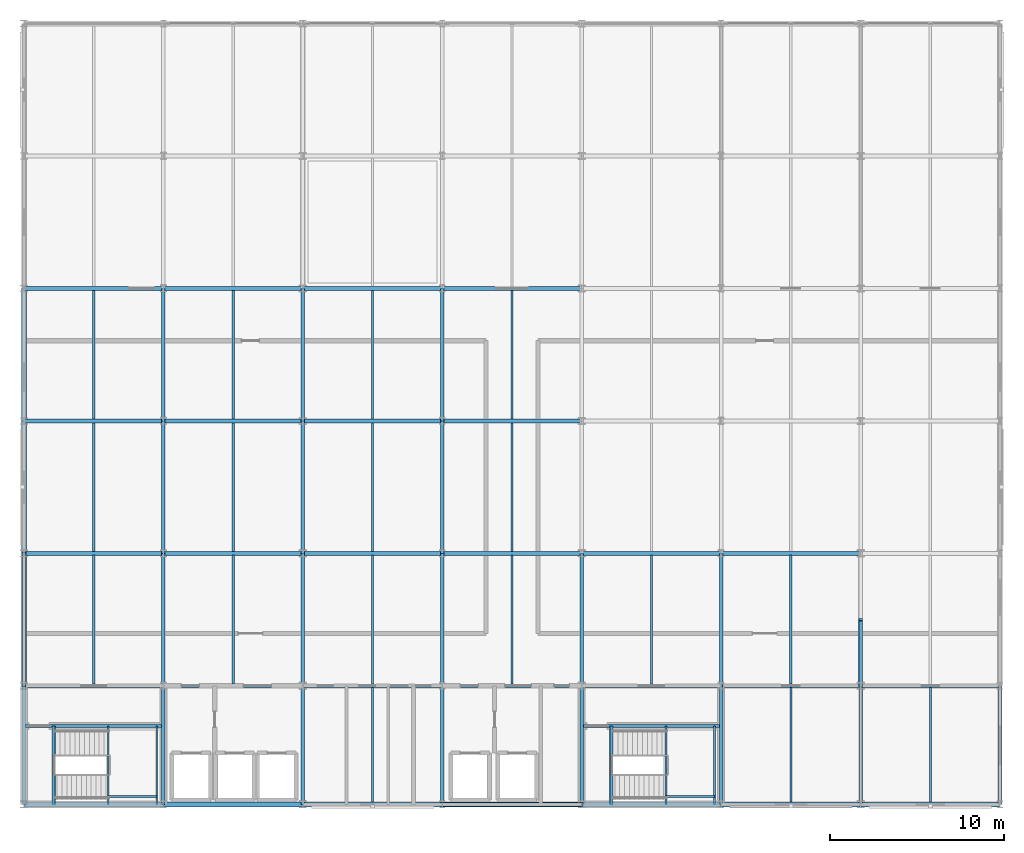
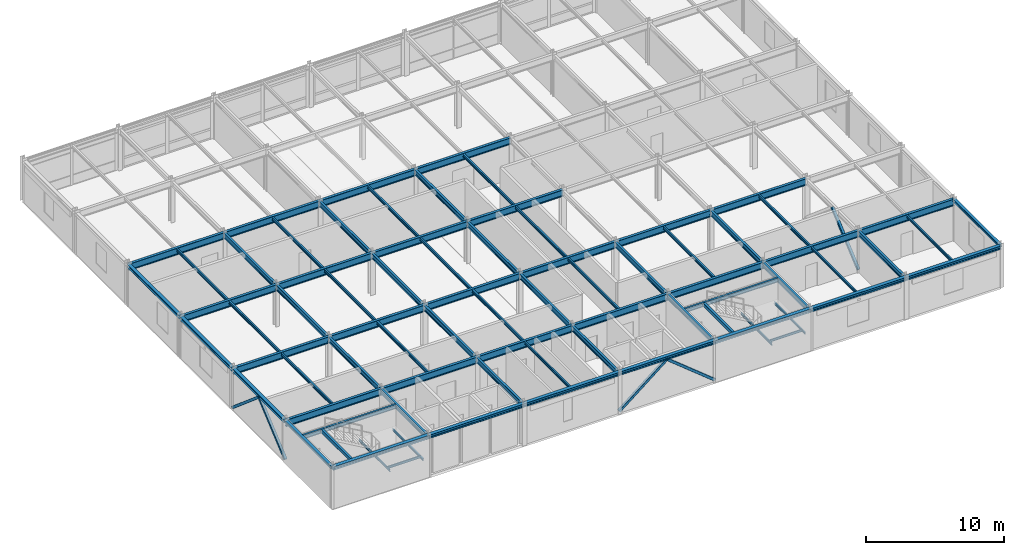
# One storey, part 4 of 14: 77 beams, 5 members.
"""IFC4 building model written with IfcOpenShell, lengths in metres."""

from ifc_helpers import new_model, si_unit, direction, frame, origin, origin_2d, place, context, subcontext, project, spatial, hollow_rectangle, i_section, extrude, material, material_profile, profile_set, type_object, element, save


model = new_model("IFC4")

# Units and contexts
model_context = context("Model", 3, precision=1e-05, world=origin(), true_north=direction((0.0, 1.0)))
body_context = subcontext(model_context, "Body", "Model", "MODEL_VIEW")
ifc_project = project(units=[si_unit("LENGTHUNIT", "METRE"), si_unit("AREAUNIT", "SQUARE_METRE"), si_unit("VOLUMEUNIT", "CUBIC_METRE"), si_unit("PLANEANGLEUNIT", "RADIAN"), si_unit("MASSUNIT", "GRAM", prefix="KILO")], contexts=[model_context])

# Site, building, storey
site_placement = place(None, origin())
site = spatial("IfcSite", under=ifc_project, at=site_placement, CompositionType="ELEMENT")
building_placement = place(site_placement, origin())
building = spatial("IfcBuilding", under=site, at=building_placement, Name="Shalkamar Park Central Library", CompositionType="ELEMENT")
storey_placement = place(building_placement, frame((0.0, 0.0, 32.10009765625)))
storey = spatial("IfcBuildingStorey", under=building, at=storey_placement, Name="L08", CompositionType="ELEMENT", Elevation=32.10009765625)

# Beams
ifc_material = material(Name="Steel S355", Category="steel")
ifc_material_profile_1 = material_profile(ifc_material, i_section(OverallWidth=0.10009765625, OverallDepth=0.199951171875, WebThickness=0.005615234375, FlangeThickness=0.008544921875, FilletRadius=0.011962890625, at=origin_2d()), Name="IPE 200")
ifc_profile_set_1 = profile_set([ifc_material_profile_1], Name="Steel S355")
beam_type_1 = type_object("IfcBeamType", Name="Composite Floor Joist IPE200", PredefinedType="JOIST", material=ifc_profile_set_1)
for number, where, z_axis, x_axis, name in (
    (1, (169.840087890625, 248.39990234375, 1.56982421875), (0.0, 1.0, 0.0), (-1.0, 0.0, 0.0), "Stair Half-Landing Beam ST-T1-L08-1"),
    (2, (172.6201171875, 248.39990234375, 1.56982421875), (0.0, 1.0, 0.0), (-1.0, 0.0, 0.0), "Stair Half-Landing Beam ST-T1-L08-2"),
):
    element("IfcBeam", number, at=place(storey_placement, frame(where, z_axis=z_axis, x_axis=x_axis)), inside=storey, type_object=beam_type_1, Name=name, PredefinedType="JOIST", context=body_context, shape_type="SweptSolid", body=[
        extrude(i_section(OverallWidth=0.10009765625, OverallDepth=0.199951171875, WebThickness=0.005615234375, FlangeThickness=0.008544921875, FilletRadius=0.011962890625, at=origin_2d()), origin(), (0.0, 0.0, 1.0), 4.5),
    ])
beam_1_placement = place(storey_placement, frame((169.840087890625, 248.85009765625, 1.56982421875), z_axis=(1.0, 0.0, 0.0), x_axis=(0.0, 1.0, 0.0)))
element("IfcBeam", 3, at=beam_1_placement, inside=storey, type_object=beam_type_1, Name="Stair Half-Landing Cross Tie ST-T1-L08-3", PredefinedType="JOIST", context=body_context, shape_type="SweptSolid", body=[
    extrude(i_section(OverallWidth=0.10009765625, OverallDepth=0.199951171875, WebThickness=0.005615234375, FlangeThickness=0.008544921875, FilletRadius=0.011962890625, at=origin_2d()), origin(), (0.0, 0.0, 1.0), 2.780029296875),
])
for number, where, z_axis, x_axis, name in (
    (4, (201.840087890625, 248.39990234375, 1.56982421875), (0.0, 1.0, 0.0), (-1.0, 0.0, 0.0), "Stair Half-Landing Beam ST-T2-L08-1"),
    (5, (204.6201171875, 248.39990234375, 1.56982421875), (0.0, 1.0, 0.0), (-1.0, 0.0, 0.0), "Stair Half-Landing Beam ST-T2-L08-2"),
):
    element("IfcBeam", number, at=place(storey_placement, frame(where, z_axis=z_axis, x_axis=x_axis)), inside=storey, type_object=beam_type_1, Name=name, PredefinedType="JOIST", context=body_context, shape_type="SweptSolid", body=[
        extrude(i_section(OverallWidth=0.10009765625, OverallDepth=0.199951171875, WebThickness=0.005615234375, FlangeThickness=0.008544921875, FilletRadius=0.011962890625, at=origin_2d()), origin(), (0.0, 0.0, 1.0), 4.5),
    ])
beam_2_placement = place(storey_placement, frame((201.840087890625, 248.85009765625, 1.56982421875), z_axis=(1.0, 0.0, 0.0), x_axis=(0.0, 1.0, 0.0)))
element("IfcBeam", 6, at=beam_2_placement, inside=storey, type_object=beam_type_1, Name="Stair Half-Landing Cross Tie ST-T2-L08-3", PredefinedType="JOIST", context=body_context, shape_type="SweptSolid", body=[
    extrude(i_section(OverallWidth=0.10009765625, OverallDepth=0.199951171875, WebThickness=0.005615234375, FlangeThickness=0.008544921875, FilletRadius=0.011962890625, at=origin_2d()), origin(), (0.0, 0.0, 1.0), 2.780029296875),
])
ifc_material_profile_2 = material_profile(ifc_material, i_section(OverallWidth=0.1201171875, OverallDepth=0.239990234375, WebThickness=0.006103515625, FlangeThickness=0.009765625, FilletRadius=0.014892578125, at=origin_2d()), Name="IPE 240")
ifc_profile_set_2 = profile_set([ifc_material_profile_2], Name="Steel S355")
beam_type_2 = type_object("IfcBeamType", Name="Composite Floor Joist IPE240", PredefinedType="JOIST", material=ifc_profile_set_2)
for number, where, z_axis, x_axis, name in (
    (7, (185.0, 248.548095703125, 3.559814453125), (0.0, 1.0, 0.0), (-1.0, 0.0, 0.0), "Composite Joist 09/B-1 (L08)"),
    (8, (209.0, 248.548095703125, 3.559814453125), (0.0, 1.0, 0.0), (-1.0, 0.0, 0.0), "Composite Joist 12/B-1 (L08)"),
    (9, (217.0, 248.548095703125, 3.559814453125), (0.0, 1.0, 0.0), (-1.0, 0.0, 0.0), "Composite Joist 13/B-1 (L08)"),
):
    element("IfcBeam", number, at=place(storey_placement, frame(where, z_axis=z_axis, x_axis=x_axis)), inside=storey, type_object=beam_type_2, Name=name, PredefinedType="JOIST", context=body_context, shape_type="SweptSolid", body=[
        extrude(i_section(OverallWidth=0.1201171875, OverallDepth=0.239990234375, WebThickness=0.006103515625, FlangeThickness=0.009765625, FilletRadius=0.014892578125, at=origin_2d()), origin(), (0.0, 0.0, 1.0), 6.5439453125),
    ])
ifc_material_profile_3 = material_profile(ifc_material, i_section(OverallWidth=0.135009765625, OverallDepth=0.27001953125, WebThickness=0.006591796875, FlangeThickness=0.01025390625, FilletRadius=0.014892578125, at=origin_2d()), Name="IPE 270")
ifc_profile_set_3 = profile_set([ifc_material_profile_3], Name="Steel S355")
beam_type_3 = type_object("IfcBeamType", Name="Composite Floor Joist IPE270", PredefinedType="JOIST", material=ifc_profile_set_3)
beam_3_placement = place(storey_placement, frame((169.0, 255.30810546875, 3.544921875), z_axis=(0.0, 1.0, 0.0), x_axis=(-1.0, 0.0, 0.0)))
element("IfcBeam", 10, at=beam_3_placement, inside=storey, type_object=beam_type_3, Name="Composite Joist 07/C-1 (L08)", PredefinedType="JOIST", context=body_context, shape_type="SweptSolid", body=[
    extrude(i_section(OverallWidth=0.135009765625, OverallDepth=0.27001953125, WebThickness=0.006591796875, FlangeThickness=0.01025390625, FilletRadius=0.014892578125, at=origin_2d()), origin(), (0.0, 0.0, 1.0), 7.3837890625),
])
for number, where, z_axis, x_axis, name in (
    (11, (169.0, 262.907958984375, 3.544921875), (0.0, 1.0, 0.0), (-1.0, 0.0, 0.0), "Composite Joist 07/D-1 (L08)"),
    (12, (169.0, 270.508056640625, 3.544921875), (0.0, 1.0, 0.0), (-1.0, 0.0, 0.0), "Composite Joist 07/E-1 (L08)"),
):
    element("IfcBeam", number, at=place(storey_placement, frame(where, z_axis=z_axis, x_axis=x_axis)), inside=storey, type_object=beam_type_3, Name=name, PredefinedType="JOIST", context=body_context, shape_type="SweptSolid", body=[
        extrude(i_section(OverallWidth=0.135009765625, OverallDepth=0.27001953125, WebThickness=0.006591796875, FlangeThickness=0.01025390625, FilletRadius=0.014892578125, at=origin_2d()), origin(), (0.0, 0.0, 1.0), 7.384033203125),
    ])
beam_4_placement = place(storey_placement, frame((177.0, 255.30810546875, 3.544921875), z_axis=(0.0, 1.0, 0.0), x_axis=(-1.0, 0.0, 0.0)))
element("IfcBeam", 13, at=beam_4_placement, inside=storey, type_object=beam_type_3, Name="Composite Joist 08/C-1 (L08)", PredefinedType="JOIST", context=body_context, shape_type="SweptSolid", body=[
    extrude(i_section(OverallWidth=0.135009765625, OverallDepth=0.27001953125, WebThickness=0.006591796875, FlangeThickness=0.01025390625, FilletRadius=0.014892578125, at=origin_2d()), origin(), (0.0, 0.0, 1.0), 7.3837890625),
])
for number, where, z_axis, x_axis, name in (
    (14, (177.0, 262.907958984375, 3.544921875), (0.0, 1.0, 0.0), (-1.0, 0.0, 0.0), "Composite Joist 08/D-1 (L08)"),
    (15, (177.0, 270.508056640625, 3.544921875), (0.0, 1.0, 0.0), (-1.0, 0.0, 0.0), "Composite Joist 08/E-1 (L08)"),
):
    element("IfcBeam", number, at=place(storey_placement, frame(where, z_axis=z_axis, x_axis=x_axis)), inside=storey, type_object=beam_type_3, Name=name, PredefinedType="JOIST", context=body_context, shape_type="SweptSolid", body=[
        extrude(i_section(OverallWidth=0.135009765625, OverallDepth=0.27001953125, WebThickness=0.006591796875, FlangeThickness=0.01025390625, FilletRadius=0.014892578125, at=origin_2d()), origin(), (0.0, 0.0, 1.0), 7.384033203125),
    ])
beam_5_placement = place(storey_placement, frame((185.0, 255.30810546875, 3.544921875), z_axis=(0.0, 1.0, 0.0), x_axis=(-1.0, 0.0, 0.0)))
element("IfcBeam", 16, at=beam_5_placement, inside=storey, type_object=beam_type_3, Name="Composite Joist 09/C-1 (L08)", PredefinedType="JOIST", context=body_context, shape_type="SweptSolid", body=[
    extrude(i_section(OverallWidth=0.135009765625, OverallDepth=0.27001953125, WebThickness=0.006591796875, FlangeThickness=0.01025390625, FilletRadius=0.014892578125, at=origin_2d()), origin(), (0.0, 0.0, 1.0), 7.3837890625),
])
for number, where, z_axis, x_axis, name in (
    (17, (185.0, 262.907958984375, 3.544921875), (0.0, 1.0, 0.0), (-1.0, 0.0, 0.0), "Composite Joist 09/D-1 (L08)"),
    (18, (185.0, 270.508056640625, 3.544921875), (0.0, 1.0, 0.0), (-1.0, 0.0, 0.0), "Composite Joist 09/E-1 (L08)"),
):
    element("IfcBeam", number, at=place(storey_placement, frame(where, z_axis=z_axis, x_axis=x_axis)), inside=storey, type_object=beam_type_3, Name=name, PredefinedType="JOIST", context=body_context, shape_type="SweptSolid", body=[
        extrude(i_section(OverallWidth=0.135009765625, OverallDepth=0.27001953125, WebThickness=0.006591796875, FlangeThickness=0.01025390625, FilletRadius=0.014892578125, at=origin_2d()), origin(), (0.0, 0.0, 1.0), 7.384033203125),
    ])
beam_6_placement = place(storey_placement, frame((193.0, 255.30810546875, 3.544921875), z_axis=(0.0, 1.0, 0.0), x_axis=(-1.0, 0.0, 0.0)))
element("IfcBeam", 19, at=beam_6_placement, inside=storey, type_object=beam_type_3, Name="Composite Joist 10/C-1 (L08)", PredefinedType="JOIST", context=body_context, shape_type="SweptSolid", body=[
    extrude(i_section(OverallWidth=0.135009765625, OverallDepth=0.27001953125, WebThickness=0.006591796875, FlangeThickness=0.01025390625, FilletRadius=0.014892578125, at=origin_2d()), origin(), (0.0, 0.0, 1.0), 7.3837890625),
])
for number, where, z_axis, x_axis, name in (
    (20, (193.0, 262.907958984375, 3.544921875), (0.0, 1.0, 0.0), (-1.0, 0.0, 0.0), "Composite Joist 10/D-1 (L08)"),
    (21, (193.0, 270.508056640625, 3.544921875), (0.0, 1.0, 0.0), (-1.0, 0.0, 0.0), "Composite Joist 10/E-1 (L08)"),
):
    element("IfcBeam", number, at=place(storey_placement, frame(where, z_axis=z_axis, x_axis=x_axis)), inside=storey, type_object=beam_type_3, Name=name, PredefinedType="JOIST", context=body_context, shape_type="SweptSolid", body=[
        extrude(i_section(OverallWidth=0.135009765625, OverallDepth=0.27001953125, WebThickness=0.006591796875, FlangeThickness=0.01025390625, FilletRadius=0.014892578125, at=origin_2d()), origin(), (0.0, 0.0, 1.0), 7.384033203125),
    ])
for number, where, z_axis, x_axis, name in (
    (22, (201.0, 255.30810546875, 3.544921875), (0.0, 1.0, 0.0), (-1.0, 0.0, 0.0), "Composite Joist 11/C-1 (L08)"),
    (23, (209.0, 255.30810546875, 3.544921875), (0.0, 1.0, 0.0), (-1.0, 0.0, 0.0), "Composite Joist 12/C-1 (L08)"),
):
    element("IfcBeam", number, at=place(storey_placement, frame(where, z_axis=z_axis, x_axis=x_axis)), inside=storey, type_object=beam_type_3, Name=name, PredefinedType="JOIST", context=body_context, shape_type="SweptSolid", body=[
        extrude(i_section(OverallWidth=0.135009765625, OverallDepth=0.27001953125, WebThickness=0.006591796875, FlangeThickness=0.01025390625, FilletRadius=0.014892578125, at=origin_2d()), origin(), (0.0, 0.0, 1.0), 7.3837890625),
    ])

# Members
ifc_material_profile_4 = material_profile(ifc_material, hollow_rectangle(XDim=0.219970703125, YDim=0.219970703125, WallThickness=0.010009765625, InnerFilletRadius=0.010009765625, OuterFilletRadius=0.014892578125, at=origin_2d()), Name="SHS 220x220x10")
ifc_profile_set_4 = profile_set([ifc_material_profile_4], Name="Steel S355")
member_type = type_object("IfcMemberType", Name="Diagonal Brace SHS220", PredefinedType="BRACE", material=ifc_profile_set_4)
for number, where, z_axis, x_axis, name in (
    (24, (165.0, 255.199951171875, 0.14990234375), (0.0, 0.761945356857, 0.647641315208), (-1.0, 0.0, 0.0), "Chevron Brace TW-W Leg A (L08)"),
    (25, (165.0, 262.800048828125, 0.14990234375), (0.0, -0.761945356857, 0.647641315208), (1.0, 0.0, 0.0), "Chevron Brace TW-W Leg B (L08)"),
    (26, (213.0, 255.199951171875, 0.14990234375), (0.0, 0.761945356857, 0.647641315208), (-1.0, 0.0, 0.0), "Chevron Brace TW-E Leg A (L08)"),
):
    element("IfcMember", number, at=place(storey_placement, frame(where, z_axis=z_axis, x_axis=x_axis)), inside=storey, type_object=member_type, Name=name, PredefinedType="BRACE", context=body_context, shape_type="SweptSolid", body=[
        extrude(hollow_rectangle(XDim=0.219970703125, YDim=0.219970703125, WallThickness=0.010009765625, InnerFilletRadius=0.010009765625, OuterFilletRadius=0.014892578125, at=origin_2d()), origin(), (0.0, 0.0, 1.0), 4.9873046875),
    ])
for number, where, z_axis, x_axis, name in (
    (27, (189.0, 248.39990234375, 0.14990234375), (0.778016166517, 0.0, 0.628244255555), (0.0, 1.0, 0.0), "Chevron Brace TW-S Leg A (L08)"),
    (28, (197.0, 248.39990234375, 0.14990234375), (-0.778016166517, 0.0, 0.628244255555), (0.0, -1.0, 0.0), "Chevron Brace TW-S Leg B (L08)"),
):
    element("IfcMember", number, at=place(storey_placement, frame(where, z_axis=z_axis, x_axis=x_axis)), inside=storey, type_object=member_type, Name=name, PredefinedType="BRACE", context=body_context, shape_type="SweptSolid", body=[
        extrude(hollow_rectangle(XDim=0.219970703125, YDim=0.219970703125, WallThickness=0.010009765625, InnerFilletRadius=0.010009765625, OuterFilletRadius=0.014892578125, at=origin_2d()), origin(), (0.0, 0.0, 1.0), 5.141357421875),
    ])

# Beams
ifc_material_profile_5 = material_profile(ifc_material, i_section(OverallWidth=0.239990234375, OverallDepth=0.22998046875, WebThickness=0.007568359375, FlangeThickness=0.011962890625, FilletRadius=0.02099609375, at=origin_2d()), Name="HEA 240")
ifc_profile_set_5 = profile_set([ifc_material_profile_5], Name="Steel S355")
beam_type_4 = type_object("IfcBeamType", Name="Perimeter Spandrel Beam HEA240", PredefinedType="SPANDREL", material=ifc_profile_set_5)
for number, where, z_axis, x_axis, name in (
    (29, (165.0, 248.39990234375, 3.56494140625), (0.0, 1.0, 0.0), (-1.0, 0.0, 0.0), "Beam 07:B-C (L08)"),
    (30, (221.0, 248.39990234375, 3.56494140625), (0.0, 1.0, 0.0), (-1.0, 0.0, 0.0), "Beam 14:B-C (L08)"),
):
    element("IfcBeam", number, at=place(storey_placement, frame(where, z_axis=z_axis, x_axis=x_axis)), inside=storey, type_object=beam_type_4, Name=name, PredefinedType="SPANDREL", context=body_context, shape_type="SweptSolid", body=[
        extrude(i_section(OverallWidth=0.239990234375, OverallDepth=0.22998046875, WebThickness=0.007568359375, FlangeThickness=0.011962890625, FilletRadius=0.02099609375, at=origin_2d()), origin(), (0.0, 0.0, 1.0), 6.800048828125),
    ])
ifc_material_profile_6 = material_profile(ifc_material, i_section(OverallWidth=0.280029296875, OverallDepth=0.27001953125, WebThickness=0.008056640625, FlangeThickness=0.012939453125, FilletRadius=0.02392578125, at=origin_2d()), Name="HEA 280")
ifc_profile_set_6 = profile_set([ifc_material_profile_6], Name="Steel S355")
beam_type_5 = type_object("IfcBeamType", Name="Perimeter Spandrel Beam HEA280", PredefinedType="SPANDREL", material=ifc_profile_set_6)
beam_7_placement = place(storey_placement, frame((165.0, 255.199951171875, 3.544921875), z_axis=(0.0, 1.0, 0.0), x_axis=(-1.0, 0.0, 0.0)))
element("IfcBeam", 31, at=beam_7_placement, inside=storey, type_object=beam_type_5, Name="Beam 07:C-D (L08)", PredefinedType="SPANDREL", context=body_context, shape_type="SweptSolid", body=[
    extrude(i_section(OverallWidth=0.280029296875, OverallDepth=0.27001953125, WebThickness=0.008056640625, FlangeThickness=0.012939453125, FilletRadius=0.02392578125, at=origin_2d()), origin(), (0.0, 0.0, 1.0), 7.60009765625),
])
beam_8_placement = place(storey_placement, frame((165.0, 262.800048828125, 3.544921875), z_axis=(0.0, 1.0, 0.0), x_axis=(-1.0, 0.0, 0.0)))
element("IfcBeam", 32, at=beam_8_placement, inside=storey, type_object=beam_type_5, Name="Beam 07:D-E (L08)", PredefinedType="SPANDREL", context=body_context, shape_type="SweptSolid", body=[
    extrude(i_section(OverallWidth=0.280029296875, OverallDepth=0.27001953125, WebThickness=0.008056640625, FlangeThickness=0.012939453125, FilletRadius=0.02392578125, at=origin_2d()), origin(), (0.0, 0.0, 1.0), 7.599853515625),
])
beam_9_placement = place(storey_placement, frame((165.0, 270.39990234375, 3.544921875), z_axis=(0.0, 1.0, 0.0), x_axis=(-1.0, 0.0, 0.0)))
element("IfcBeam", 33, at=beam_9_placement, inside=storey, type_object=beam_type_5, Name="Beam 07:E-F (L08)", PredefinedType="SPANDREL", context=body_context, shape_type="SweptSolid", body=[
    extrude(i_section(OverallWidth=0.280029296875, OverallDepth=0.27001953125, WebThickness=0.008056640625, FlangeThickness=0.012939453125, FilletRadius=0.02392578125, at=origin_2d()), origin(), (0.0, 0.0, 1.0), 7.60009765625),
])
ifc_material_profile_7 = material_profile(ifc_material, i_section(OverallWidth=0.300048828125, OverallDepth=0.31005859375, WebThickness=0.009033203125, FlangeThickness=0.015380859375, FilletRadius=0.027099609375, at=origin_2d()), Name="HEA 320")
ifc_profile_set_7 = profile_set([ifc_material_profile_7], Name="Steel S355")
beam_type_6 = type_object("IfcBeamType", Name="Perimeter Spandrel Beam HEA320", PredefinedType="SPANDREL", material=ifc_profile_set_7)
for number, where, z_axis, x_axis, name in (
    (34, (165.0, 248.39990234375, 3.52490234375), (1.0, 0.0, 0.0), (0.0, 1.0, 0.0), "Beam B:07-08 (L08)"),
    (35, (173.0, 248.39990234375, 3.52490234375), (1.0, 0.0, 0.0), (0.0, 1.0, 0.0), "Beam B:08-09 (L08)"),
    (36, (181.0, 248.39990234375, 3.52490234375), (1.0, 0.0, 0.0), (0.0, 1.0, 0.0), "Beam B:09-10 (L08)"),
    (37, (189.0, 248.39990234375, 3.52490234375), (1.0, 0.0, 0.0), (0.0, 1.0, 0.0), "Beam B:10-11 (L08)"),
    (38, (197.0, 248.39990234375, 3.52490234375), (1.0, 0.0, 0.0), (0.0, 1.0, 0.0), "Beam B:11-12 (L08)"),
    (39, (205.0, 248.39990234375, 3.52490234375), (1.0, 0.0, 0.0), (0.0, 1.0, 0.0), "Beam B:12-13 (L08)"),
    (40, (213.0, 248.39990234375, 3.52490234375), (1.0, 0.0, 0.0), (0.0, 1.0, 0.0), "Beam B:13-14 (L08)"),
):
    element("IfcBeam", number, at=place(storey_placement, frame(where, z_axis=z_axis, x_axis=x_axis)), inside=storey, type_object=beam_type_6, Name=name, PredefinedType="SPANDREL", context=body_context, shape_type="SweptSolid", body=[
        extrude(i_section(OverallWidth=0.300048828125, OverallDepth=0.31005859375, WebThickness=0.009033203125, FlangeThickness=0.015380859375, FilletRadius=0.027099609375, at=origin_2d()), origin(), (0.0, 0.0, 1.0), 8.0),
    ])
ifc_material_profile_8 = material_profile(ifc_material, i_section(OverallWidth=0.169921875, OverallDepth=0.360107421875, WebThickness=0.008056640625, FlangeThickness=0.0126953125, FilletRadius=0.01806640625, at=origin_2d()), Name="IPE 360")
ifc_profile_set_8 = profile_set([ifc_material_profile_8], Name="Steel S355")
beam_type_7 = type_object("IfcBeamType", Name="Primary Girder IPE360", PredefinedType="BEAM", material=ifc_profile_set_8)
for number, where, z_axis, x_axis, name in (
    (41, (165.087890625, 252.89990234375, 3.5), (1.0, 0.0, 0.0), (0.0, 1.0, 0.0), "CORE-T1 Stairwell Divider Beam (L08)"),
    (42, (197.087890625, 252.89990234375, 3.5), (1.0, 0.0, 0.0), (0.0, 1.0, 0.0), "CORE-T2 Stairwell Divider Beam (L08)"),
):
    element("IfcBeam", number, at=place(storey_placement, frame(where, z_axis=z_axis, x_axis=x_axis)), inside=storey, type_object=beam_type_7, Name=name, PredefinedType="BEAM", context=body_context, shape_type="SweptSolid", body=[
        extrude(i_section(OverallWidth=0.169921875, OverallDepth=0.360107421875, WebThickness=0.008056640625, FlangeThickness=0.0126953125, FilletRadius=0.01806640625, at=origin_2d()), origin(), (0.0, 0.0, 1.0), 7.82421875),
    ])
ifc_material_profile_9 = material_profile(ifc_material, i_section(OverallWidth=0.18994140625, OverallDepth=0.449951171875, WebThickness=0.009521484375, FlangeThickness=0.0146484375, FilletRadius=0.02099609375, at=origin_2d()), Name="IPE 450")
ifc_profile_set_9 = profile_set([ifc_material_profile_9], Name="Steel S355")
beam_type_8 = type_object("IfcBeamType", Name="Primary Girder IPE450", PredefinedType="BEAM", material=ifc_profile_set_9)
beam_10_placement = place(storey_placement, frame((173.0, 248.39990234375, 3.454833984375), z_axis=(0.0, 1.0, 0.0), x_axis=(-1.0, 0.0, 0.0)))
element("IfcBeam", 43, at=beam_10_placement, inside=storey, type_object=beam_type_8, Name="Beam 08:B-C (L08)", PredefinedType="BEAM", context=body_context, shape_type="SweptSolid", body=[
    extrude(i_section(OverallWidth=0.18994140625, OverallDepth=0.449951171875, WebThickness=0.009521484375, FlangeThickness=0.0146484375, FilletRadius=0.02099609375, at=origin_2d()), origin(), (0.0, 0.0, 1.0), 6.800048828125),
])
beam_11_placement = place(storey_placement, frame((173.0, 255.199951171875, 3.454833984375), z_axis=(0.0, 1.0, 0.0), x_axis=(-1.0, 0.0, 0.0)))
element("IfcBeam", 44, at=beam_11_placement, inside=storey, type_object=beam_type_8, Name="Beam 08:C-D (L08)", PredefinedType="BEAM", context=body_context, shape_type="SweptSolid", body=[
    extrude(i_section(OverallWidth=0.18994140625, OverallDepth=0.449951171875, WebThickness=0.009521484375, FlangeThickness=0.0146484375, FilletRadius=0.02099609375, at=origin_2d()), origin(), (0.0, 0.0, 1.0), 7.60009765625),
])
beam_12_placement = place(storey_placement, frame((173.0, 262.800048828125, 3.454833984375), z_axis=(0.0, 1.0, 0.0), x_axis=(-1.0, 0.0, 0.0)))
element("IfcBeam", 45, at=beam_12_placement, inside=storey, type_object=beam_type_8, Name="Beam 08:D-E (L08)", PredefinedType="BEAM", context=body_context, shape_type="SweptSolid", body=[
    extrude(i_section(OverallWidth=0.18994140625, OverallDepth=0.449951171875, WebThickness=0.009521484375, FlangeThickness=0.0146484375, FilletRadius=0.02099609375, at=origin_2d()), origin(), (0.0, 0.0, 1.0), 7.599853515625),
])
beam_13_placement = place(storey_placement, frame((173.0, 270.39990234375, 3.454833984375), z_axis=(0.0, 1.0, 0.0), x_axis=(-1.0, 0.0, 0.0)))
element("IfcBeam", 46, at=beam_13_placement, inside=storey, type_object=beam_type_8, Name="Beam 08:E-F (L08)", PredefinedType="BEAM", context=body_context, shape_type="SweptSolid", body=[
    extrude(i_section(OverallWidth=0.18994140625, OverallDepth=0.449951171875, WebThickness=0.009521484375, FlangeThickness=0.0146484375, FilletRadius=0.02099609375, at=origin_2d()), origin(), (0.0, 0.0, 1.0), 7.60009765625),
])
beam_14_placement = place(storey_placement, frame((181.0, 248.39990234375, 3.454833984375), z_axis=(0.0, 1.0, 0.0), x_axis=(-1.0, 0.0, 0.0)))
element("IfcBeam", 47, at=beam_14_placement, inside=storey, type_object=beam_type_8, Name="Beam 09:B-C (L08)", PredefinedType="BEAM", context=body_context, shape_type="SweptSolid", body=[
    extrude(i_section(OverallWidth=0.18994140625, OverallDepth=0.449951171875, WebThickness=0.009521484375, FlangeThickness=0.0146484375, FilletRadius=0.02099609375, at=origin_2d()), origin(), (0.0, 0.0, 1.0), 6.800048828125),
])
beam_15_placement = place(storey_placement, frame((181.0, 255.199951171875, 3.454833984375), z_axis=(0.0, 1.0, 0.0), x_axis=(-1.0, 0.0, 0.0)))
element("IfcBeam", 48, at=beam_15_placement, inside=storey, type_object=beam_type_8, Name="Beam 09:C-D (L08)", PredefinedType="BEAM", context=body_context, shape_type="SweptSolid", body=[
    extrude(i_section(OverallWidth=0.18994140625, OverallDepth=0.449951171875, WebThickness=0.009521484375, FlangeThickness=0.0146484375, FilletRadius=0.02099609375, at=origin_2d()), origin(), (0.0, 0.0, 1.0), 7.60009765625),
])
beam_16_placement = place(storey_placement, frame((181.0, 262.800048828125, 3.454833984375), z_axis=(0.0, 1.0, 0.0), x_axis=(-1.0, 0.0, 0.0)))
element("IfcBeam", 49, at=beam_16_placement, inside=storey, type_object=beam_type_8, Name="Beam 09:D-E (L08)", PredefinedType="BEAM", context=body_context, shape_type="SweptSolid", body=[
    extrude(i_section(OverallWidth=0.18994140625, OverallDepth=0.449951171875, WebThickness=0.009521484375, FlangeThickness=0.0146484375, FilletRadius=0.02099609375, at=origin_2d()), origin(), (0.0, 0.0, 1.0), 7.599853515625),
])
beam_17_placement = place(storey_placement, frame((181.0, 270.39990234375, 3.454833984375), z_axis=(0.0, 1.0, 0.0), x_axis=(-1.0, 0.0, 0.0)))
element("IfcBeam", 50, at=beam_17_placement, inside=storey, type_object=beam_type_8, Name="Beam 09:E-F (L08)", PredefinedType="BEAM", context=body_context, shape_type="SweptSolid", body=[
    extrude(i_section(OverallWidth=0.18994140625, OverallDepth=0.449951171875, WebThickness=0.009521484375, FlangeThickness=0.0146484375, FilletRadius=0.02099609375, at=origin_2d()), origin(), (0.0, 0.0, 1.0), 7.60009765625),
])
beam_18_placement = place(storey_placement, frame((189.0, 248.39990234375, 3.454833984375), z_axis=(0.0, 1.0, 0.0), x_axis=(-1.0, 0.0, 0.0)))
element("IfcBeam", 51, at=beam_18_placement, inside=storey, type_object=beam_type_8, Name="Beam 10:B-C (L08)", PredefinedType="BEAM", context=body_context, shape_type="SweptSolid", body=[
    extrude(i_section(OverallWidth=0.18994140625, OverallDepth=0.449951171875, WebThickness=0.009521484375, FlangeThickness=0.0146484375, FilletRadius=0.02099609375, at=origin_2d()), origin(), (0.0, 0.0, 1.0), 6.800048828125),
])
beam_19_placement = place(storey_placement, frame((189.0, 255.199951171875, 3.454833984375), z_axis=(0.0, 1.0, 0.0), x_axis=(-1.0, 0.0, 0.0)))
element("IfcBeam", 52, at=beam_19_placement, inside=storey, type_object=beam_type_8, Name="Beam 10:C-D (L08)", PredefinedType="BEAM", context=body_context, shape_type="SweptSolid", body=[
    extrude(i_section(OverallWidth=0.18994140625, OverallDepth=0.449951171875, WebThickness=0.009521484375, FlangeThickness=0.0146484375, FilletRadius=0.02099609375, at=origin_2d()), origin(), (0.0, 0.0, 1.0), 7.60009765625),
])
beam_20_placement = place(storey_placement, frame((189.0, 262.800048828125, 3.454833984375), z_axis=(0.0, 1.0, 0.0), x_axis=(-1.0, 0.0, 0.0)))
element("IfcBeam", 53, at=beam_20_placement, inside=storey, type_object=beam_type_8, Name="Beam 10:D-E (L08)", PredefinedType="BEAM", context=body_context, shape_type="SweptSolid", body=[
    extrude(i_section(OverallWidth=0.18994140625, OverallDepth=0.449951171875, WebThickness=0.009521484375, FlangeThickness=0.0146484375, FilletRadius=0.02099609375, at=origin_2d()), origin(), (0.0, 0.0, 1.0), 7.599853515625),
])
beam_21_placement = place(storey_placement, frame((189.0, 270.39990234375, 3.454833984375), z_axis=(0.0, 1.0, 0.0), x_axis=(-1.0, 0.0, 0.0)))
element("IfcBeam", 54, at=beam_21_placement, inside=storey, type_object=beam_type_8, Name="Beam 10:E-F (L08)", PredefinedType="BEAM", context=body_context, shape_type="SweptSolid", body=[
    extrude(i_section(OverallWidth=0.18994140625, OverallDepth=0.449951171875, WebThickness=0.009521484375, FlangeThickness=0.0146484375, FilletRadius=0.02099609375, at=origin_2d()), origin(), (0.0, 0.0, 1.0), 7.60009765625),
])
beam_22_placement = place(storey_placement, frame((197.0, 248.39990234375, 3.454833984375), z_axis=(0.0, 1.0, 0.0), x_axis=(-1.0, 0.0, 0.0)))
element("IfcBeam", 55, at=beam_22_placement, inside=storey, type_object=beam_type_8, Name="Beam 11:B-C (L08)", PredefinedType="BEAM", context=body_context, shape_type="SweptSolid", body=[
    extrude(i_section(OverallWidth=0.18994140625, OverallDepth=0.449951171875, WebThickness=0.009521484375, FlangeThickness=0.0146484375, FilletRadius=0.02099609375, at=origin_2d()), origin(), (0.0, 0.0, 1.0), 6.800048828125),
])
beam_23_placement = place(storey_placement, frame((197.0, 255.199951171875, 3.454833984375), z_axis=(0.0, 1.0, 0.0), x_axis=(-1.0, 0.0, 0.0)))
element("IfcBeam", 56, at=beam_23_placement, inside=storey, type_object=beam_type_8, Name="Beam 11:C-D (L08)", PredefinedType="BEAM", context=body_context, shape_type="SweptSolid", body=[
    extrude(i_section(OverallWidth=0.18994140625, OverallDepth=0.449951171875, WebThickness=0.009521484375, FlangeThickness=0.0146484375, FilletRadius=0.02099609375, at=origin_2d()), origin(), (0.0, 0.0, 1.0), 7.60009765625),
])
beam_24_placement = place(storey_placement, frame((205.0, 248.39990234375, 3.454833984375), z_axis=(0.0, 1.0, 0.0), x_axis=(-1.0, 0.0, 0.0)))
element("IfcBeam", 57, at=beam_24_placement, inside=storey, type_object=beam_type_8, Name="Beam 12:B-C (L08)", PredefinedType="BEAM", context=body_context, shape_type="SweptSolid", body=[
    extrude(i_section(OverallWidth=0.18994140625, OverallDepth=0.449951171875, WebThickness=0.009521484375, FlangeThickness=0.0146484375, FilletRadius=0.02099609375, at=origin_2d()), origin(), (0.0, 0.0, 1.0), 6.800048828125),
])
beam_25_placement = place(storey_placement, frame((205.0, 255.199951171875, 3.454833984375), z_axis=(0.0, 1.0, 0.0), x_axis=(-1.0, 0.0, 0.0)))
element("IfcBeam", 58, at=beam_25_placement, inside=storey, type_object=beam_type_8, Name="Beam 12:C-D (L08)", PredefinedType="BEAM", context=body_context, shape_type="SweptSolid", body=[
    extrude(i_section(OverallWidth=0.18994140625, OverallDepth=0.449951171875, WebThickness=0.009521484375, FlangeThickness=0.0146484375, FilletRadius=0.02099609375, at=origin_2d()), origin(), (0.0, 0.0, 1.0), 7.60009765625),
])
beam_26_placement = place(storey_placement, frame((213.0, 248.39990234375, 3.454833984375), z_axis=(0.0, 1.0, 0.0), x_axis=(-1.0, 0.0, 0.0)))
element("IfcBeam", 59, at=beam_26_placement, inside=storey, type_object=beam_type_8, Name="Beam 13:B-C (L08)", PredefinedType="BEAM", context=body_context, shape_type="SweptSolid", body=[
    extrude(i_section(OverallWidth=0.18994140625, OverallDepth=0.449951171875, WebThickness=0.009521484375, FlangeThickness=0.0146484375, FilletRadius=0.02099609375, at=origin_2d()), origin(), (0.0, 0.0, 1.0), 6.800048828125),
])
ifc_material_profile_10 = material_profile(ifc_material, i_section(OverallWidth=0.219970703125, OverallDepth=0.60009765625, WebThickness=0.011962890625, FlangeThickness=0.01904296875, FilletRadius=0.02392578125, at=origin_2d()), Name="IPE 600")
ifc_profile_set_10 = profile_set([ifc_material_profile_10], Name="Steel S355")
beam_type_9 = type_object("IfcBeamType", Name="Primary Girder IPE600", PredefinedType="BEAM", material=ifc_profile_set_10)
for number, where, z_axis, x_axis, name in (
    (60, (165.0, 255.199951171875, 3.3798828125), (1.0, 0.0, 0.0), (0.0, 1.0, 0.0), "Beam C:07-08 (L08)"),
    (61, (173.0, 255.199951171875, 3.3798828125), (1.0, 0.0, 0.0), (0.0, 1.0, 0.0), "Beam C:08-09 (L08)"),
    (62, (181.0, 255.199951171875, 3.3798828125), (1.0, 0.0, 0.0), (0.0, 1.0, 0.0), "Beam C:09-10 (L08)"),
    (63, (189.0, 255.199951171875, 3.3798828125), (1.0, 0.0, 0.0), (0.0, 1.0, 0.0), "Beam C:10-11 (L08)"),
    (64, (197.0, 255.199951171875, 3.3798828125), (1.0, 0.0, 0.0), (0.0, 1.0, 0.0), "Beam C:11-12 (L08)"),
    (65, (205.0, 255.199951171875, 3.3798828125), (1.0, 0.0, 0.0), (0.0, 1.0, 0.0), "Beam C:12-13 (L08)"),
    (66, (213.0, 255.199951171875, 3.3798828125), (1.0, 0.0, 0.0), (0.0, 1.0, 0.0), "Beam C:13-14 (L08)"),
    (67, (165.0, 262.800048828125, 3.3798828125), (1.0, 0.0, 0.0), (0.0, 1.0, 0.0), "Beam D:07-08 (L08)"),
    (68, (173.0, 262.800048828125, 3.3798828125), (1.0, 0.0, 0.0), (0.0, 1.0, 0.0), "Beam D:08-09 (L08)"),
    (69, (181.0, 262.800048828125, 3.3798828125), (1.0, 0.0, 0.0), (0.0, 1.0, 0.0), "Beam D:09-10 (L08)"),
    (70, (189.0, 262.800048828125, 3.3798828125), (1.0, 0.0, 0.0), (0.0, 1.0, 0.0), "Beam D:10-11 (L08)"),
    (71, (197.0, 262.800048828125, 3.3798828125), (1.0, 0.0, 0.0), (0.0, 1.0, 0.0), "Beam D:11-12 (L08)"),
    (72, (205.0, 262.800048828125, 3.3798828125), (1.0, 0.0, 0.0), (0.0, 1.0, 0.0), "Beam D:12-13 (L08)"),
    (73, (165.0, 270.39990234375, 3.3798828125), (1.0, 0.0, 0.0), (0.0, 1.0, 0.0), "Beam E:07-08 (L08)"),
    (74, (173.0, 270.39990234375, 3.3798828125), (1.0, 0.0, 0.0), (0.0, 1.0, 0.0), "Beam E:08-09 (L08)"),
    (75, (181.0, 270.39990234375, 3.3798828125), (1.0, 0.0, 0.0), (0.0, 1.0, 0.0), "Beam E:09-10 (L08)"),
    (76, (189.0, 270.39990234375, 3.3798828125), (1.0, 0.0, 0.0), (0.0, 1.0, 0.0), "Beam E:10-11 (L08)"),
    (77, (165.0, 278.0, 3.3798828125), (1.0, 0.0, 0.0), (0.0, 1.0, 0.0), "Beam F:07-08 (L08)"),
    (78, (173.0, 278.0, 3.3798828125), (1.0, 0.0, 0.0), (0.0, 1.0, 0.0), "Beam F:08-09 (L08)"),
    (79, (181.0, 278.0, 3.3798828125), (1.0, 0.0, 0.0), (0.0, 1.0, 0.0), "Beam F:09-10 (L08)"),
    (80, (189.0, 278.0, 3.3798828125), (1.0, 0.0, 0.0), (0.0, 1.0, 0.0), "Beam F:10-11 (L08)"),
):
    element("IfcBeam", number, at=place(storey_placement, frame(where, z_axis=z_axis, x_axis=x_axis)), inside=storey, type_object=beam_type_9, Name=name, PredefinedType="BEAM", context=body_context, shape_type="SweptSolid", body=[
        extrude(i_section(OverallWidth=0.219970703125, OverallDepth=0.60009765625, WebThickness=0.011962890625, FlangeThickness=0.01904296875, FilletRadius=0.02392578125, at=origin_2d()), origin(), (0.0, 0.0, 1.0), 8.0),
    ])
ifc_material_profile_11 = material_profile(ifc_material, hollow_rectangle(XDim=0.199951171875, YDim=0.300048828125, WallThickness=0.011962890625, InnerFilletRadius=0.011962890625, OuterFilletRadius=0.01806640625, at=origin_2d()), Name="RHS 300x200x12")
ifc_profile_set_11 = profile_set([ifc_material_profile_11], Name="Steel S355")
beam_type_10 = type_object("IfcBeamType", Name="Stair Trimmer Box RHS300x200", PredefinedType="BEAM", material=ifc_profile_set_11)
for number, where, z_axis, x_axis, name in (
    (81, (166.699951171875, 248.39990234375, 3.52978515625), (0.0, 1.0, 0.0), (-1.0, 0.0, 0.0), "Stair Arrival Trimmer Girder ST-T1-L08"),
    (82, (198.699951171875, 248.39990234375, 3.52978515625), (0.0, 1.0, 0.0), (-1.0, 0.0, 0.0), "Stair Arrival Trimmer Girder ST-T2-L08"),
):
    element("IfcBeam", number, at=place(storey_placement, frame(where, z_axis=z_axis, x_axis=x_axis)), inside=storey, type_object=beam_type_10, Name=name, PredefinedType="BEAM", context=body_context, shape_type="SweptSolid", body=[
        extrude(hollow_rectangle(XDim=0.199951171875, YDim=0.300048828125, WallThickness=0.011962890625, InnerFilletRadius=0.011962890625, OuterFilletRadius=0.01806640625, at=origin_2d()), origin(), (0.0, 0.0, 1.0), 4.5),
    ])

save(model, "model.ifc")
